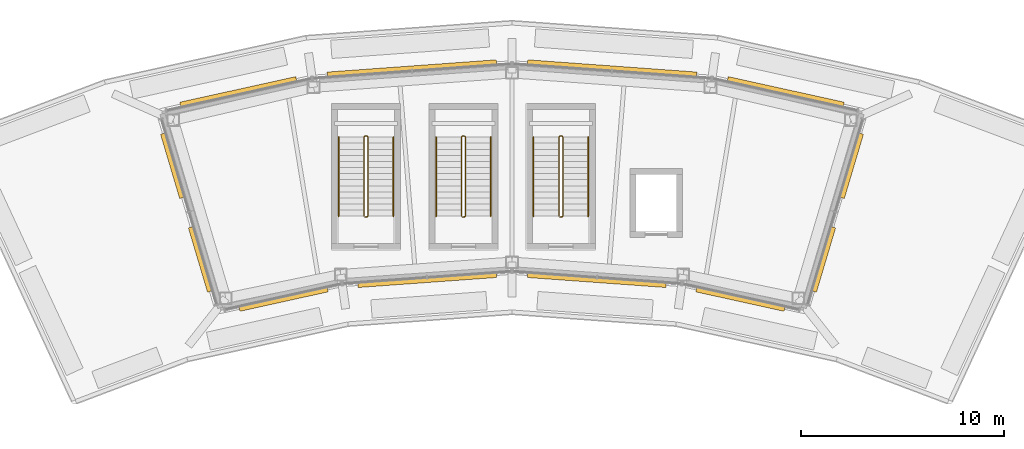
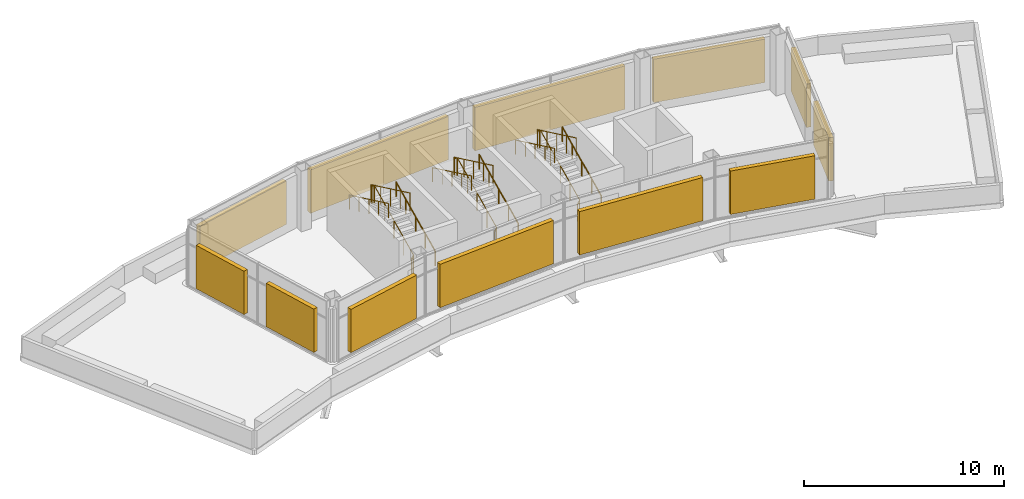
# One storey, part 6 of 7: 12 shading devices, 9 railings.
"""IFC4 building model written with IfcOpenShell, lengths in metres."""

from ifc_helpers import new_model, si_unit, direction, frame, origin, origin_2d, place, context, subcontext, project, spatial, rectangle, circle, extrude, material, type_object, element, save


model = new_model("IFC4")

# Units and contexts
model_context = context("Model", 3, precision=1e-05, world=origin(), true_north=direction((0.0, 1.0)))
body_context = subcontext(model_context, "Body", "Model", "MODEL_VIEW")
ifc_project = project(units=[si_unit("LENGTHUNIT", "METRE"), si_unit("AREAUNIT", "SQUARE_METRE"), si_unit("VOLUMEUNIT", "CUBIC_METRE"), si_unit("PLANEANGLEUNIT", "RADIAN"), si_unit("MASSUNIT", "GRAM", prefix="KILO")], contexts=[model_context])

# Site, building, storey
site_placement = place(None, origin())
site = spatial("IfcSite", under=ifc_project, at=site_placement, CompositionType="ELEMENT")
building_placement = place(site_placement, origin())
building = spatial("IfcBuilding", under=site, at=building_placement, Name="Tuul Gate Civic Tower", CompositionType="ELEMENT")
storey_placement = place(building_placement, frame((0.0, 0.0, 376.10009765625)))
storey = spatial("IfcBuildingStorey", under=building, at=storey_placement, Name="Crown tier 3 lower", CompositionType="ELEMENT", Elevation=376.10009765625)

# Shading devices
ifc_material_1 = material(Name="Aluminium louvre", Category="aluminium")
shading_device_type = type_object("IfcShadingDeviceType", Name="Louvre panel", PredefinedType="USERDEFINED", material=ifc_material_1)
shading_device_1_placement = place(storey_placement, frame((15.677490234375, 6.8759765625, 0.300048828125), z_axis=(0.0, 0.0, 1.0), x_axis=(0.215297760919, 0.97654844946, 0.0)))
element("IfcShadingDevice", 1, at=shading_device_1_placement, inside=storey, type_object=shading_device_type, Name="Louvre panel", ObjectType="LOUVRE", PredefinedType="USERDEFINED", context=body_context, shape_type="SweptSolid", body=[
    extrude(rectangle(XDim=0.25, YDim=5.85009765625, at=origin_2d()), origin(), (0.0, 0.0, 1.0), 2.64990234375),
])
for number, where, z_axis, x_axis, name in (
    (2, (7.125, 8.03125, 0.300048828125), (0.0, 0.0, 1.0), (0.072211474614, 0.997389343704, 0.0), "Louvre panel"),
    (3, (-2.740966796875, 8.03125, 0.300048828125), (0.0, 0.0, 1.0), (-0.072211474614, 0.997389343704, 0.0), "Louvre panel"),
):
    element("IfcShadingDevice", number, at=place(storey_placement, frame(where, z_axis=z_axis, x_axis=x_axis)), inside=storey, type_object=shading_device_type, Name=name, ObjectType="LOUVRE", PredefinedType="USERDEFINED", context=body_context, shape_type="SweptSolid", body=[
        extrude(rectangle(XDim=0.25, YDim=8.35009765625, at=origin_2d()), origin(), (0.0, 0.0, 1.0), 2.64990234375),
    ])
shading_device_2_placement = place(storey_placement, frame((-11.29345703125, 6.8759765625, 0.300048828125), z_axis=(0.0, 0.0, 1.0), x_axis=(-0.215297760919, 0.97654844946, 0.0)))
element("IfcShadingDevice", 4, at=shading_device_2_placement, inside=storey, type_object=shading_device_type, Name="Louvre panel", ObjectType="LOUVRE", PredefinedType="USERDEFINED", context=body_context, shape_type="SweptSolid", body=[
    extrude(rectangle(XDim=0.25, YDim=5.85009765625, at=origin_2d()), origin(), (0.0, 0.0, 1.0), 2.64990234375),
])
for number, where, z_axis, x_axis, name in (
    (5, (-14.533447265625, 3.23779296875, 0.300048828125), (0.0, 0.0, 1.0), (-0.95847574458, -0.285174064481, 0.0), "Louvre panel"),
    (6, (-13.1611328125, -1.375244140625, 0.300048828125), (0.0, 0.0, 1.0), (-0.95847574458, -0.285174064481, 0.0), "Louvre panel"),
):
    element("IfcShadingDevice", number, at=place(storey_placement, frame(where, z_axis=z_axis, x_axis=x_axis)), inside=storey, type_object=shading_device_type, Name=name, ObjectType="LOUVRE", PredefinedType="USERDEFINED", context=body_context, shape_type="SweptSolid", body=[
        extrude(rectangle(XDim=0.25, YDim=3.300048828125, at=origin_2d()), origin(), (0.0, 0.0, 1.0), 2.64990234375),
    ])
shading_device_3_placement = place(storey_placement, frame((-9.065673828125, -3.33349609375, 0.300048828125), z_axis=(0.0, 0.0, 1.0), x_axis=(0.215242614215, -0.976560605916, 0.0)))
element("IfcShadingDevice", 7, at=shading_device_3_placement, inside=storey, type_object=shading_device_type, Name="Louvre panel", ObjectType="LOUVRE", PredefinedType="USERDEFINED", context=body_context, shape_type="SweptSolid", body=[
    extrude(rectangle(XDim=0.25, YDim=4.449951171875, at=origin_2d()), origin(), (0.0, 0.0, 1.0), 2.64990234375),
])
for number, where, z_axis, x_axis, name in (
    (8, (-1.986083984375, -2.3916015625, 0.300048828125), (0.0, 0.0, 1.0), (0.072178099624, -0.997391759508, 0.0), "Louvre panel"),
    (9, (6.369873046875, -2.3916015625, 0.300048828125), (0.0, 0.0, 1.0), (-0.072178099624, -0.997391759508, 0.0), "Louvre panel"),
):
    element("IfcShadingDevice", number, at=place(storey_placement, frame(where, z_axis=z_axis, x_axis=x_axis)), inside=storey, type_object=shading_device_type, Name=name, ObjectType="LOUVRE", PredefinedType="USERDEFINED", context=body_context, shape_type="SweptSolid", body=[
        extrude(rectangle(XDim=0.25, YDim=6.85009765625, at=origin_2d()), origin(), (0.0, 0.0, 1.0), 2.64990234375),
    ])
shading_device_4_placement = place(storey_placement, frame((13.44970703125, -3.33349609375, 0.300048828125), z_axis=(0.0, 0.0, 1.0), x_axis=(-0.215242614215, -0.976560605916, 0.0)))
element("IfcShadingDevice", 10, at=shading_device_4_placement, inside=storey, type_object=shading_device_type, Name="Louvre panel", ObjectType="LOUVRE", PredefinedType="USERDEFINED", context=body_context, shape_type="SweptSolid", body=[
    extrude(rectangle(XDim=0.25, YDim=4.449951171875, at=origin_2d()), origin(), (0.0, 0.0, 1.0), 2.64990234375),
])
for number, where, z_axis, x_axis, name in (
    (11, (17.545166015625, -1.375244140625, 0.300048828125), (0.0, 0.0, 1.0), (0.95847574458, -0.285174064481, 0.0), "Louvre panel"),
    (12, (18.91748046875, 3.23779296875, 0.300048828125), (0.0, 0.0, 1.0), (0.95847574458, -0.285174064481, 0.0), "Louvre panel"),
):
    element("IfcShadingDevice", number, at=place(storey_placement, frame(where, z_axis=z_axis, x_axis=x_axis)), inside=storey, type_object=shading_device_type, Name=name, ObjectType="LOUVRE", PredefinedType="USERDEFINED", context=body_context, shape_type="SweptSolid", body=[
        extrude(rectangle(XDim=0.25, YDim=3.300048828125, at=origin_2d()), origin(), (0.0, 0.0, 1.0), 2.64990234375),
    ])

# Railings
ifc_material_2 = material(Name="Painted steel", Category="steel")
railing_type_1 = type_object("IfcRailingType", Name="Stair guard", PredefinedType="GUARDRAIL", material=ifc_material_2)
railing_1_placement = place(storey_placement, frame((-4.949951171875, 0.699951171875, 0.0)))
element("IfcRailing", 13, at=railing_1_placement, inside=storey, type_object=railing_type_1, Name="Crown tier 3 lower ST-5 stair guard 1", PredefinedType="GUARDRAIL", context=body_context, shape_type="SweptSolid", body=[
    extrude(circle(Radius=0.02392578125, at=origin_2d()), frame((0.0, 0.0, 1.076171875), z_axis=(-1.0, 0.0, 0.0), x_axis=(0.0, -1.0, 0.0)), (0.0, 0.0, 1.0), 0.10009765625),
    extrude(circle(Radius=0.02392578125, at=origin_2d()), frame((-0.10009765625, 0.0, 1.076171875), z_axis=(0.704307497325, 0.234769165775, 0.669951034041), x_axis=(-0.316227766017, 0.948683298051, 0.0)), (0.0, 0.0, 1.0), 0.213134765625),
    extrude(circle(Radius=0.02392578125, at=origin_2d()), frame((0.050048828125, 0.050048828125, 1.21875), z_axis=(0.0, 0.902853205547, 0.429948937937), x_axis=(-1.0, 0.0, 0.0)), (0.0, 0.0, 1.0), 4.319580078125),
    extrude(circle(Radius=0.02392578125, at=origin_2d()), frame((0.050048828125, 3.949951171875, 3.076171875), z_axis=(-0.707106781187, 0.707106781187, 0.0), x_axis=(-0.707106781187, -0.707106781187, 0.0)), (0.0, 0.0, 1.0), 0.07080078125),
    extrude(circle(Radius=0.02392578125, at=origin_2d()), frame((0.0, 4.0, 3.076171875), z_axis=(-1.0, 0.0, 0.0), x_axis=(0.0, -1.0, 0.0)), (0.0, 0.0, 1.0), 0.10009765625),
    extrude(circle(Radius=0.02392578125, at=origin_2d()), frame((-0.10009765625, 4.0, 3.076171875), z_axis=(-0.313985020601, -0.313985020601, 0.896006034397), x_axis=(0.707106781187, -0.707106781187, 0.0)), (0.0, 0.0, 1.0), 0.159423828125),
    extrude(circle(Radius=0.02392578125, at=origin_2d()), frame((-0.150146484375, 3.949951171875, 3.21875), z_axis=(0.0, -0.902853205547, 0.429948937937), x_axis=(1.0, 0.0, 0.0)), (0.0, 0.0, 1.0), 4.319580078125),
    extrude(circle(Radius=0.02099609375, at=origin_2d()), origin(), (0.0, 0.0, 1.0), 1.052001953125),
    extrude(circle(Radius=0.02099609375, at=origin_2d()), frame((-0.10009765625, 0.0, 0.0)), (0.0, 0.0, 1.0), 1.052001953125),
    extrude(circle(Radius=0.02099609375, at=origin_2d()), frame((0.050048828125, 0.050048828125, 0.142822265625)), (0.0, 0.0, 1.0), 1.052001953125),
    extrude(circle(Radius=0.02099609375, at=origin_2d()), frame((0.050048828125, 1.02490234375, 0.607177734375)), (0.0, 0.0, 1.0), 1.052001953125),
    extrude(circle(Radius=0.02099609375, at=origin_2d()), frame((0.050048828125, 2.0, 1.0712890625)), (0.0, 0.0, 1.0), 1.052001953125),
    extrude(circle(Radius=0.02099609375, at=origin_2d()), frame((0.050048828125, 2.97509765625, 1.53564453125)), (0.0, 0.0, 1.0), 1.052001953125),
    extrude(circle(Radius=0.02099609375, at=origin_2d()), frame((0.050048828125, 3.949951171875, 2.0)), (0.0, 0.0, 1.0), 1.052001953125),
    extrude(circle(Radius=0.02099609375, at=origin_2d()), frame((0.0, 4.0, 2.0)), (0.0, 0.0, 1.0), 1.052001953125),
    extrude(circle(Radius=0.02099609375, at=origin_2d()), frame((-0.10009765625, 4.0, 2.0)), (0.0, 0.0, 1.0), 1.052001953125),
    extrude(circle(Radius=0.02099609375, at=origin_2d()), frame((-0.150146484375, 3.949951171875, 2.142822265625)), (0.0, 0.0, 1.0), 1.052001953125),
    extrude(circle(Radius=0.02099609375, at=origin_2d()), frame((-0.150146484375, 2.97509765625, 2.607177734375)), (0.0, 0.0, 1.0), 1.052001953125),
    extrude(circle(Radius=0.02099609375, at=origin_2d()), frame((-0.150146484375, 2.0, 3.0712890625)), (0.0, 0.0, 1.0), 1.052001953125),
    extrude(circle(Radius=0.02099609375, at=origin_2d()), frame((-0.150146484375, 1.02490234375, 3.53564453125)), (0.0, 0.0, 1.0), 1.052001953125),
    extrude(circle(Radius=0.02099609375, at=origin_2d()), frame((-0.150146484375, 0.050048828125, 4.0)), (0.0, 0.0, 1.0), 1.052001953125),
])
railing_2_placement = place(storey_placement, frame((-0.14990234375, 0.699951171875, 0.0)))
element("IfcRailing", 14, at=railing_2_placement, inside=storey, type_object=railing_type_1, Name="Crown tier 3 lower ST-6 stair guard 1", PredefinedType="GUARDRAIL", context=body_context, shape_type="SweptSolid", body=[
    extrude(circle(Radius=0.02392578125, at=origin_2d()), frame((0.0, 0.0, 1.076171875), z_axis=(-1.0, 0.0, 0.0), x_axis=(0.0, -1.0, 0.0)), (0.0, 0.0, 1.0), 0.10009765625),
    extrude(circle(Radius=0.02392578125, at=origin_2d()), frame((-0.10009765625, 0.0, 1.076171875), z_axis=(0.703729666097, 0.234958601873, 0.670491619978), x_axis=(-0.316691178788, 0.948528701346, 0.0)), (0.0, 0.0, 1.0), 0.212890625),
    extrude(circle(Radius=0.02392578125, at=origin_2d()), frame((0.0498046875, 0.050048828125, 1.21875), z_axis=(0.0, 0.902853205547, 0.429948937937), x_axis=(-1.0, 0.0, 0.0)), (0.0, 0.0, 1.0), 4.319580078125),
    extrude(circle(Radius=0.02392578125, at=origin_2d()), frame((0.0498046875, 3.949951171875, 3.076171875), z_axis=(-0.705375805398, 0.708833529934, 0.0), x_axis=(-0.708833529934, -0.705375805398, 0.0)), (0.0, 0.0, 1.0), 0.070556640625),
    extrude(circle(Radius=0.02392578125, at=origin_2d()), frame((0.0, 4.0, 3.076171875), z_axis=(-1.0, 0.0, 0.0), x_axis=(0.0, -1.0, 0.0)), (0.0, 0.0, 1.0), 0.10009765625),
    extrude(circle(Radius=0.02392578125, at=origin_2d()), frame((-0.10009765625, 4.0, 3.076171875), z_axis=(-0.313985020601, -0.313985020601, 0.896006034397), x_axis=(0.707106781187, -0.707106781187, 0.0)), (0.0, 0.0, 1.0), 0.159423828125),
    extrude(circle(Radius=0.02392578125, at=origin_2d()), frame((-0.150146484375, 3.949951171875, 3.21875), z_axis=(0.0, -0.902853205547, 0.429948937937), x_axis=(1.0, 0.0, 0.0)), (0.0, 0.0, 1.0), 4.319580078125),
    extrude(circle(Radius=0.02099609375, at=origin_2d()), origin(), (0.0, 0.0, 1.0), 1.052001953125),
    extrude(circle(Radius=0.02099609375, at=origin_2d()), frame((-0.10009765625, 0.0, 0.0)), (0.0, 0.0, 1.0), 1.052001953125),
    extrude(circle(Radius=0.02099609375, at=origin_2d()), frame((0.0498046875, 0.050048828125, 0.142822265625)), (0.0, 0.0, 1.0), 1.052001953125),
    extrude(circle(Radius=0.02099609375, at=origin_2d()), frame((0.0498046875, 1.02490234375, 0.607177734375)), (0.0, 0.0, 1.0), 1.052001953125),
    extrude(circle(Radius=0.02099609375, at=origin_2d()), frame((0.0498046875, 2.0, 1.0712890625)), (0.0, 0.0, 1.0), 1.052001953125),
    extrude(circle(Radius=0.02099609375, at=origin_2d()), frame((0.0498046875, 2.97509765625, 1.53564453125)), (0.0, 0.0, 1.0), 1.052001953125),
    extrude(circle(Radius=0.02099609375, at=origin_2d()), frame((0.0498046875, 3.949951171875, 2.0)), (0.0, 0.0, 1.0), 1.052001953125),
    extrude(circle(Radius=0.02099609375, at=origin_2d()), frame((0.0, 4.0, 2.0)), (0.0, 0.0, 1.0), 1.052001953125),
    extrude(circle(Radius=0.02099609375, at=origin_2d()), frame((-0.10009765625, 4.0, 2.0)), (0.0, 0.0, 1.0), 1.052001953125),
    extrude(circle(Radius=0.02099609375, at=origin_2d()), frame((-0.150146484375, 3.949951171875, 2.142822265625)), (0.0, 0.0, 1.0), 1.052001953125),
    extrude(circle(Radius=0.02099609375, at=origin_2d()), frame((-0.150146484375, 2.97509765625, 2.607177734375)), (0.0, 0.0, 1.0), 1.052001953125),
    extrude(circle(Radius=0.02099609375, at=origin_2d()), frame((-0.150146484375, 2.0, 3.0712890625)), (0.0, 0.0, 1.0), 1.052001953125),
    extrude(circle(Radius=0.02099609375, at=origin_2d()), frame((-0.150146484375, 1.02490234375, 3.53564453125)), (0.0, 0.0, 1.0), 1.052001953125),
    extrude(circle(Radius=0.02099609375, at=origin_2d()), frame((-0.150146484375, 0.050048828125, 4.0)), (0.0, 0.0, 1.0), 1.052001953125),
])
railing_3_placement = place(storey_placement, frame((4.64990234375, 0.699951171875, 0.0)))
element("IfcRailing", 15, at=railing_3_placement, inside=storey, type_object=railing_type_1, Name="Crown tier 3 lower ST-7 stair guard 1", PredefinedType="GUARDRAIL", context=body_context, shape_type="SweptSolid", body=[
    extrude(circle(Radius=0.02392578125, at=origin_2d()), frame((0.0, 0.0, 1.076171875), z_axis=(-1.0, 0.0, 0.0), x_axis=(0.0, -1.0, 0.0)), (0.0, 0.0, 1.0), 0.099853515625),
    extrude(circle(Radius=0.02392578125, at=origin_2d()), frame((-0.099853515625, 0.0, 1.076171875), z_axis=(0.703729666097, 0.234958601873, 0.670491619978), x_axis=(-0.316691178788, 0.948528701346, 0.0)), (0.0, 0.0, 1.0), 0.212890625),
    extrude(circle(Radius=0.02392578125, at=origin_2d()), frame((0.050048828125, 0.050048828125, 1.21875), z_axis=(0.0, 0.902853205547, 0.429948937937), x_axis=(-1.0, 0.0, 0.0)), (0.0, 0.0, 1.0), 4.319580078125),
    extrude(circle(Radius=0.02392578125, at=origin_2d()), frame((0.050048828125, 3.949951171875, 3.076171875), z_axis=(-0.707106781187, 0.707106781187, 0.0), x_axis=(-0.707106781187, -0.707106781187, 0.0)), (0.0, 0.0, 1.0), 0.07080078125),
    extrude(circle(Radius=0.02392578125, at=origin_2d()), frame((0.0, 4.0, 3.076171875), z_axis=(-1.0, 0.0, 0.0), x_axis=(0.0, -1.0, 0.0)), (0.0, 0.0, 1.0), 0.099853515625),
    extrude(circle(Radius=0.02392578125, at=origin_2d()), frame((-0.099853515625, 4.0, 3.076171875), z_axis=(-0.313985020601, -0.313985020601, 0.896006034397), x_axis=(0.707106781187, -0.707106781187, 0.0)), (0.0, 0.0, 1.0), 0.159423828125),
    extrude(circle(Radius=0.02392578125, at=origin_2d()), frame((-0.14990234375, 3.949951171875, 3.21875), z_axis=(0.0, -0.902853205547, 0.429948937937), x_axis=(1.0, 0.0, 0.0)), (0.0, 0.0, 1.0), 4.319580078125),
    extrude(circle(Radius=0.02099609375, at=origin_2d()), origin(), (0.0, 0.0, 1.0), 1.052001953125),
    extrude(circle(Radius=0.02099609375, at=origin_2d()), frame((-0.099853515625, 0.0, 0.0)), (0.0, 0.0, 1.0), 1.052001953125),
    extrude(circle(Radius=0.02099609375, at=origin_2d()), frame((0.050048828125, 0.050048828125, 0.142822265625)), (0.0, 0.0, 1.0), 1.052001953125),
    extrude(circle(Radius=0.02099609375, at=origin_2d()), frame((0.050048828125, 1.02490234375, 0.607177734375)), (0.0, 0.0, 1.0), 1.052001953125),
    extrude(circle(Radius=0.02099609375, at=origin_2d()), frame((0.050048828125, 2.0, 1.0712890625)), (0.0, 0.0, 1.0), 1.052001953125),
    extrude(circle(Radius=0.02099609375, at=origin_2d()), frame((0.050048828125, 2.97509765625, 1.53564453125)), (0.0, 0.0, 1.0), 1.052001953125),
    extrude(circle(Radius=0.02099609375, at=origin_2d()), frame((0.050048828125, 3.949951171875, 2.0)), (0.0, 0.0, 1.0), 1.052001953125),
    extrude(circle(Radius=0.02099609375, at=origin_2d()), frame((0.0, 4.0, 2.0)), (0.0, 0.0, 1.0), 1.052001953125),
    extrude(circle(Radius=0.02099609375, at=origin_2d()), frame((-0.099853515625, 4.0, 2.0)), (0.0, 0.0, 1.0), 1.052001953125),
    extrude(circle(Radius=0.02099609375, at=origin_2d()), frame((-0.14990234375, 3.949951171875, 2.142822265625)), (0.0, 0.0, 1.0), 1.052001953125),
    extrude(circle(Radius=0.02099609375, at=origin_2d()), frame((-0.14990234375, 2.97509765625, 2.607177734375)), (0.0, 0.0, 1.0), 1.052001953125),
    extrude(circle(Radius=0.02099609375, at=origin_2d()), frame((-0.14990234375, 2.0, 3.0712890625)), (0.0, 0.0, 1.0), 1.052001953125),
    extrude(circle(Radius=0.02099609375, at=origin_2d()), frame((-0.14990234375, 1.02490234375, 3.53564453125)), (0.0, 0.0, 1.0), 1.052001953125),
    extrude(circle(Radius=0.02099609375, at=origin_2d()), frame((-0.14990234375, 0.050048828125, 4.0)), (0.0, 0.0, 1.0), 1.052001953125),
])
ifc_material_3 = material(Name="Painted steel", Category="steel")
railing_type_2 = type_object("IfcRailingType", Name="Stair handrail", PredefinedType="HANDRAIL", material=ifc_material_3)
railing_4_placement = place(storey_placement, frame((-3.64990234375, 0.75, 0.142822265625)))
element("IfcRailing", 16, at=railing_4_placement, inside=storey, type_object=railing_type_2, Name="Crown tier 3 lower ST-5 stair handrail 1", PredefinedType="HANDRAIL", context=body_context, shape_type="SweptSolid", body=[
    extrude(circle(Radius=0.02392578125, at=origin_2d()), frame((0.0, 0.0, 0.8759765625), z_axis=(0.0, 0.902853205547, 0.429948937937), x_axis=(-1.0, 0.0, 0.0)), (0.0, 0.0, 1.0), 4.319580078125),
    extrude(circle(Radius=0.02099609375, at=origin_2d()), origin(), (0.0, 0.0, 1.0), 0.851806640625),
    extrude(circle(Radius=0.02099609375, at=origin_2d()), frame((0.0, 0.97509765625, 0.46435546875)), (0.0, 0.0, 1.0), 0.851806640625),
    extrude(circle(Radius=0.02099609375, at=origin_2d()), frame((0.0, 1.949951171875, 0.9287109375)), (0.0, 0.0, 1.0), 0.851806640625),
    extrude(circle(Radius=0.02099609375, at=origin_2d()), frame((0.0, 2.9248046875, 1.392822265625)), (0.0, 0.0, 1.0), 0.851806640625),
    extrude(circle(Radius=0.02099609375, at=origin_2d()), frame((0.0, 3.89990234375, 1.857177734375)), (0.0, 0.0, 1.0), 0.851806640625),
])
railing_5_placement = place(storey_placement, frame((-6.35009765625, 4.64990234375, 2.142822265625)))
element("IfcRailing", 17, at=railing_5_placement, inside=storey, type_object=railing_type_2, Name="Crown tier 3 lower ST-5 stair handrail 2", PredefinedType="HANDRAIL", context=body_context, shape_type="SweptSolid", body=[
    extrude(circle(Radius=0.02392578125, at=origin_2d()), frame((0.0, 0.0, 0.8759765625), z_axis=(0.0, -0.902853205547, 0.429948937937), x_axis=(1.0, 0.0, 0.0)), (0.0, 0.0, 1.0), 4.319580078125),
    extrude(circle(Radius=0.02099609375, at=origin_2d()), origin(), (0.0, 0.0, 1.0), 0.851806640625),
    extrude(circle(Radius=0.02099609375, at=origin_2d()), frame((0.0, -0.97509765625, 0.46435546875)), (0.0, 0.0, 1.0), 0.851806640625),
    extrude(circle(Radius=0.02099609375, at=origin_2d()), frame((0.0, -1.949951171875, 0.9287109375)), (0.0, 0.0, 1.0), 0.851806640625),
    extrude(circle(Radius=0.02099609375, at=origin_2d()), frame((0.0, -2.9248046875, 1.392822265625)), (0.0, 0.0, 1.0), 0.851806640625),
    extrude(circle(Radius=0.02099609375, at=origin_2d()), frame((0.0, -3.89990234375, 1.857177734375)), (0.0, 0.0, 1.0), 0.851806640625),
])
railing_6_placement = place(storey_placement, frame((1.14990234375, 0.75, 0.142822265625)))
element("IfcRailing", 18, at=railing_6_placement, inside=storey, type_object=railing_type_2, Name="Crown tier 3 lower ST-6 stair handrail 1", PredefinedType="HANDRAIL", context=body_context, shape_type="SweptSolid", body=[
    extrude(circle(Radius=0.02392578125, at=origin_2d()), frame((0.0, 0.0, 0.8759765625), z_axis=(0.0, 0.902853205547, 0.429948937937), x_axis=(-1.0, 0.0, 0.0)), (0.0, 0.0, 1.0), 4.319580078125),
    extrude(circle(Radius=0.02099609375, at=origin_2d()), origin(), (0.0, 0.0, 1.0), 0.851806640625),
    extrude(circle(Radius=0.02099609375, at=origin_2d()), frame((0.0, 0.97509765625, 0.46435546875)), (0.0, 0.0, 1.0), 0.851806640625),
    extrude(circle(Radius=0.02099609375, at=origin_2d()), frame((0.0, 1.949951171875, 0.9287109375)), (0.0, 0.0, 1.0), 0.851806640625),
    extrude(circle(Radius=0.02099609375, at=origin_2d()), frame((0.0, 2.9248046875, 1.392822265625)), (0.0, 0.0, 1.0), 0.851806640625),
    extrude(circle(Radius=0.02099609375, at=origin_2d()), frame((0.0, 3.89990234375, 1.857177734375)), (0.0, 0.0, 1.0), 0.851806640625),
])
railing_7_placement = place(storey_placement, frame((-1.550048828125, 4.64990234375, 2.142822265625)))
element("IfcRailing", 19, at=railing_7_placement, inside=storey, type_object=railing_type_2, Name="Crown tier 3 lower ST-6 stair handrail 2", PredefinedType="HANDRAIL", context=body_context, shape_type="SweptSolid", body=[
    extrude(circle(Radius=0.02392578125, at=origin_2d()), frame((0.0, 0.0, 0.8759765625), z_axis=(0.0, -0.902853205547, 0.429948937937), x_axis=(1.0, 0.0, 0.0)), (0.0, 0.0, 1.0), 4.319580078125),
    extrude(circle(Radius=0.02099609375, at=origin_2d()), origin(), (0.0, 0.0, 1.0), 0.851806640625),
    extrude(circle(Radius=0.02099609375, at=origin_2d()), frame((0.0, -0.97509765625, 0.46435546875)), (0.0, 0.0, 1.0), 0.851806640625),
    extrude(circle(Radius=0.02099609375, at=origin_2d()), frame((0.0, -1.949951171875, 0.9287109375)), (0.0, 0.0, 1.0), 0.851806640625),
    extrude(circle(Radius=0.02099609375, at=origin_2d()), frame((0.0, -2.9248046875, 1.392822265625)), (0.0, 0.0, 1.0), 0.851806640625),
    extrude(circle(Radius=0.02099609375, at=origin_2d()), frame((0.0, -3.89990234375, 1.857177734375)), (0.0, 0.0, 1.0), 0.851806640625),
])
railing_8_placement = place(storey_placement, frame((5.949951171875, 0.75, 0.142822265625)))
element("IfcRailing", 20, at=railing_8_placement, inside=storey, type_object=railing_type_2, Name="Crown tier 3 lower ST-7 stair handrail 1", PredefinedType="HANDRAIL", context=body_context, shape_type="SweptSolid", body=[
    extrude(circle(Radius=0.02392578125, at=origin_2d()), frame((0.0, 0.0, 0.8759765625), z_axis=(0.0, 0.902853205547, 0.429948937937), x_axis=(-1.0, 0.0, 0.0)), (0.0, 0.0, 1.0), 4.319580078125),
    extrude(circle(Radius=0.02099609375, at=origin_2d()), origin(), (0.0, 0.0, 1.0), 0.851806640625),
    extrude(circle(Radius=0.02099609375, at=origin_2d()), frame((0.0, 0.97509765625, 0.46435546875)), (0.0, 0.0, 1.0), 0.851806640625),
    extrude(circle(Radius=0.02099609375, at=origin_2d()), frame((0.0, 1.949951171875, 0.9287109375)), (0.0, 0.0, 1.0), 0.851806640625),
    extrude(circle(Radius=0.02099609375, at=origin_2d()), frame((0.0, 2.9248046875, 1.392822265625)), (0.0, 0.0, 1.0), 0.851806640625),
    extrude(circle(Radius=0.02099609375, at=origin_2d()), frame((0.0, 3.89990234375, 1.857177734375)), (0.0, 0.0, 1.0), 0.851806640625),
])
railing_9_placement = place(storey_placement, frame((3.25, 4.64990234375, 2.142822265625)))
element("IfcRailing", 21, at=railing_9_placement, inside=storey, type_object=railing_type_2, Name="Crown tier 3 lower ST-7 stair handrail 2", PredefinedType="HANDRAIL", context=body_context, shape_type="SweptSolid", body=[
    extrude(circle(Radius=0.02392578125, at=origin_2d()), frame((0.0, 0.0, 0.8759765625), z_axis=(0.0, -0.902853205547, 0.429948937937), x_axis=(1.0, 0.0, 0.0)), (0.0, 0.0, 1.0), 4.319580078125),
    extrude(circle(Radius=0.02099609375, at=origin_2d()), origin(), (0.0, 0.0, 1.0), 0.851806640625),
    extrude(circle(Radius=0.02099609375, at=origin_2d()), frame((0.0, -0.97509765625, 0.46435546875)), (0.0, 0.0, 1.0), 0.851806640625),
    extrude(circle(Radius=0.02099609375, at=origin_2d()), frame((0.0, -1.949951171875, 0.9287109375)), (0.0, 0.0, 1.0), 0.851806640625),
    extrude(circle(Radius=0.02099609375, at=origin_2d()), frame((0.0, -2.9248046875, 1.392822265625)), (0.0, 0.0, 1.0), 0.851806640625),
    extrude(circle(Radius=0.02099609375, at=origin_2d()), frame((0.0, -3.89990234375, 1.857177734375)), (0.0, 0.0, 1.0), 0.851806640625),
])

save(model, "model.ifc")
